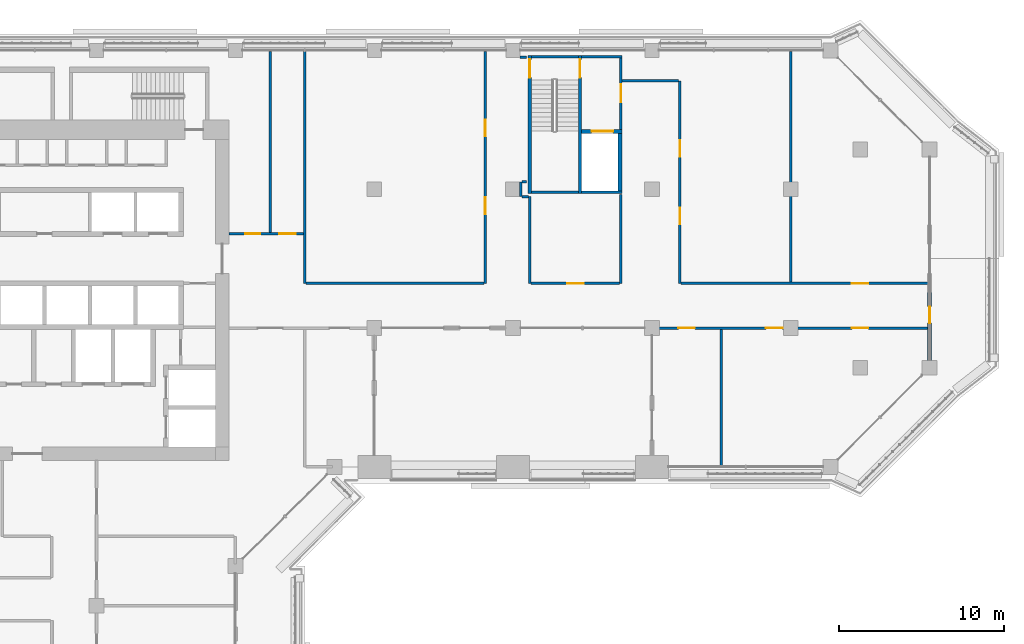
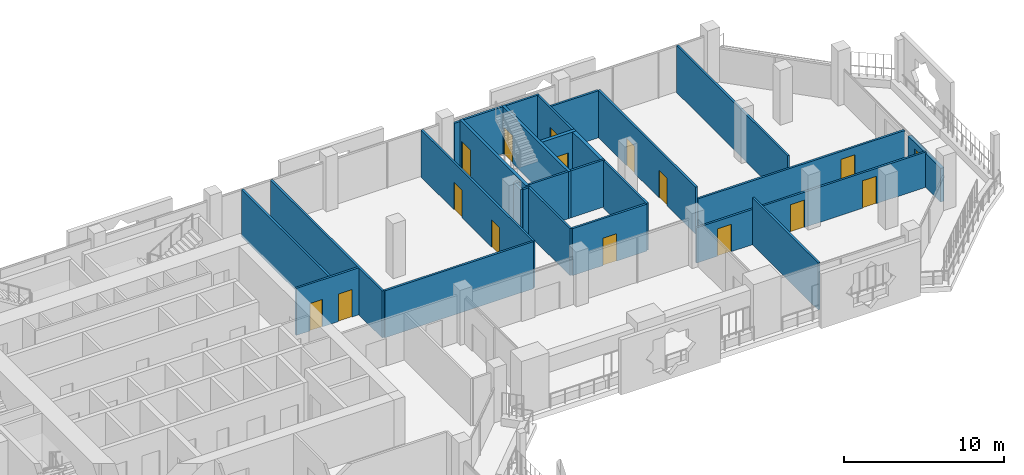
# One storey, part 15 of 24: 28 walls, 16 doors, 16 openings.
"""IFC4 building model written with IfcOpenShell, lengths in metres."""

from ifc_helpers import new_model, si_unit, direction, frame, frame_2d, origin, place, context, subcontext, project, spatial, rectangle, extrude, material, layer, layer_set, type_object, element, fill, save


model = new_model("IFC4")

# Units and contexts
model_context = context("Model", 3, precision=1e-05, world=origin(), true_north=direction((0.0, 1.0)))
body_context = subcontext(model_context, "Body", "Model", "MODEL_VIEW")
ifc_project = project(units=[si_unit("LENGTHUNIT", "METRE"), si_unit("AREAUNIT", "SQUARE_METRE"), si_unit("VOLUMEUNIT", "CUBIC_METRE"), si_unit("PLANEANGLEUNIT", "RADIAN"), si_unit("MASSUNIT", "GRAM", prefix="KILO")], contexts=[model_context])

# Site, building, storey
site_placement = place(None, origin())
site = spatial("IfcSite", under=ifc_project, at=site_placement, CompositionType="ELEMENT")
building_placement = place(site_placement, origin())
building = spatial("IfcBuilding", under=site, at=building_placement, Name="Kawkab Arch Medical Tower", CompositionType="ELEMENT")
storey_placement = place(building_placement, frame((0.0, 0.0, 218.0)))
storey = spatial("IfcBuildingStorey", under=building, at=storey_placement, Name="L50", CompositionType="ELEMENT", Elevation=218.0)

# Wall, opening, door
ifc_material_1 = material(Name="Gypsum board on steel studs", Category="steel")
ifc_layer_1 = layer(ifc_material_1, 0.14990234375)
ifc_layer_set_1 = layer_set([ifc_layer_1], Name="Gypsum board on steel studs")
wall_type_1 = type_object("IfcWallType", Name="Core room partition 150", PredefinedType="PARTITIONING", material=ifc_layer_set_1)
wall_1_placement = place(storey_placement, frame((48.52490234375, -4.77490234375, 0.0), z_axis=(0.0, 0.0, 1.0), x_axis=(0.0, 1.0, 0.0)))
wall_1 = element("IfcWall", 1, at=wall_1_placement, inside=storey, type_object=wall_type_1, Name="L50 core room partition", PredefinedType="PARTITIONING", context=body_context, shape_type="SweptSolid", body=[
    extrude(rectangle(XDim=4.324951171875, YDim=0.14990234375, at=frame_2d((2.16259765625, 0.0))), origin(), (0.0, 0.0, 1.0), 3.60009765625),
])
opening_1_placement = place(wall_1_placement, frame((1.625, 0.0, 0.0)))
opening_1 = element("IfcOpeningElement", 2, at=opening_1_placement, cuts=wall_1, Name="Opening FD", PredefinedType="OPENING", context=body_context, shape_type="SweptSolid", body=[
    extrude(rectangle(XDim=1.10009765625, YDim=2.10009765625, at=frame_2d((0.550048828125, 1.050048828125))), frame((0.0, 0.0849609375, 0.0), z_axis=(0.0, -1.0, 0.0), x_axis=(1.0, 0.0, 0.0)), (0.0, 0.0, 1.0), 0.169921875),
])
ifc_material_2 = material(Name="Hollow metal fire door leaf")
door_type_1 = type_object("IfcDoorType", Name="Firefighting lobby door 1100", OperationType="SINGLE_SWING_LEFT", PredefinedType="DOOR", material=ifc_material_2)
door_1_placement = place(opening_1_placement, origin())
door_1 = element("IfcDoor", 3, at=door_1_placement, inside=storey, type_object=door_type_1, Name="L50 Service lift lobby door SV1", OperationType="SINGLE_SWING_LEFT", OverallHeight=2.10009765625, OverallWidth=1.10009765625, PredefinedType="DOOR", context=body_context, shape_type="SweptSolid", body=[
    extrude(rectangle(XDim=1.10009765625, YDim=2.10009765625, at=frame_2d((0.550048828125, 1.050048828125))), frame((0.0, 0.02490234375, 0.0), z_axis=(0.0, -1.0, 0.0), x_axis=(1.0, 0.0, 0.0)), (0.0, 0.0, 1.0), 0.050048828125),
])
fill(opening_1, door_1)

ifc_material_3 = material(Name="Concrete C60/75", Category="concrete")
ifc_layer_2 = layer(ifc_material_3, 0.25)
ifc_layer_set_2 = layer_set([ifc_layer_2], Name="Concrete C60/75")
wall_type_2 = type_object("IfcWallType", Name="Core shear wall 250 C60/75", PredefinedType="SHEAR", material=ifc_layer_set_2)
wall_2_placement = place(storey_placement, frame((46.14990234375, -4.89990234375, 0.0), z_axis=(0.0, 0.0, 1.0), x_axis=(1.0, 0.0, 0.0)))
wall_2 = element("IfcWall", 4, at=wall_2_placement, inside=storey, type_object=wall_type_2, Name="L50 core shear wall", PredefinedType="SHEAR", context=body_context, shape_type="SweptSolid", body=[
    extrude(rectangle(XDim=2.4501953125, YDim=0.25, at=frame_2d((1.22509765625, 0.0))), origin(), (0.0, 0.0, 1.0), 3.60009765625),
])
opening_2_placement = place(wall_2_placement, frame((0.60009765625, 0.0, 0.0)))
opening_2 = element("IfcOpeningElement", 5, at=opening_2_placement, cuts=wall_2, Name="Opening LD2", PredefinedType="OPENING", context=body_context, shape_type="SweptSolid", body=[
    extrude(rectangle(XDim=1.300048828125, YDim=2.10009765625, at=frame_2d((0.64990234375, 1.050048828125))), frame((0.0, 0.135009765625, 0.0), z_axis=(0.0, -1.0, 0.0), x_axis=(1.0, 0.0, 0.0)), (0.0, 0.0, 1.0), 0.27001953125),
])
ifc_material_4 = material(Name="Stainless steel lift door leaf", Category="steel")
door_type_2 = type_object("IfcDoorType", Name="Lift landing door 1300", OperationType="DOUBLE_DOOR_SLIDING", PredefinedType="DOOR", material=ifc_material_4)
door_2_placement = place(opening_2_placement, origin())
door_2 = element("IfcDoor", 6, at=door_2_placement, inside=storey, type_object=door_type_2, Name="L50 Lift landing door SV1", OperationType="DOUBLE_DOOR_SLIDING", OverallHeight=2.10009765625, OverallWidth=1.300048828125, PredefinedType="DOOR", context=body_context, shape_type="SweptSolid", body=[
    extrude(rectangle(XDim=1.300048828125, YDim=2.10009765625, at=frame_2d((0.64990234375, 1.050048828125))), frame((0.0, 0.02490234375, 0.0), z_axis=(0.0, -1.0, 0.0), x_axis=(1.0, 0.0, 0.0)), (0.0, 0.0, 1.0), 0.050048828125),
])
fill(opening_2, door_2)

# Wall
wall_3_placement = place(storey_placement, frame((48.47509765625, -8.5, 0.0), z_axis=(0.0, 0.0, 1.0), x_axis=(0.0, 1.0, 0.0)))
element("IfcWall", 7, at=wall_3_placement, inside=storey, type_object=wall_type_2, Name="L50 core shear wall", PredefinedType="SHEAR", context=body_context, shape_type="SweptSolid", body=[
    extrude(rectangle(XDim=3.47509765625, YDim=0.25, at=frame_2d((1.737548828125, 0.0))), origin(), (0.0, 0.0, 1.0), 3.60009765625),
])

# Wall, opening, door
ifc_material_5 = material(Name="Bronze clad insulated wall panel")
ifc_layer_3 = layer(ifc_material_5, 0.25)
ifc_layer_set_3 = layer_set([ifc_layer_3], Name="Bronze clad insulated wall panel")
wall_type_3 = type_object("IfcWallType", Name="External wall bay 250", PredefinedType="SOLIDWALL", material=ifc_layer_set_3)
wall_4_placement = place(storey_placement, frame((67.199951171875, -18.75, 0.0), z_axis=(0.0, 0.0, 1.0), x_axis=(0.0, 1.0, 0.0)))
wall_4 = element("IfcWall", 8, at=wall_4_placement, inside=storey, type_object=wall_type_3, Name="External wall bay L50.R07.1.1", PredefinedType="SOLIDWALL", context=body_context, shape_type="SweptSolid", body=[
    extrude(rectangle(XDim=4.10009765625, YDim=0.25, at=frame_2d((2.050048828125, 0.0))), origin(), (0.0, 0.0, 1.0), 2.580078125),
])
opening_3_placement = place(wall_4_placement, frame((2.25, 0.0, 0.0)))
opening_3 = element("IfcOpeningElement", 9, at=opening_3_placement, cuts=wall_4, Name="Opening B50-702", PredefinedType="OPENING", context=body_context, shape_type="SweptSolid", body=[
    extrude(rectangle(XDim=1.0, YDim=2.10009765625, at=frame_2d((0.5, 1.050048828125))), frame((0.0, 0.135009765625, 0.0), z_axis=(0.0, -1.0, 0.0), x_axis=(1.0, 0.0, 0.0)), (0.0, 0.0, 1.0), 0.27001953125),
])
ifc_material_6 = material(Name="Bronze anodised aluminium door with tinted glass", Category="aluminium")
door_type_3 = type_object("IfcDoorType", Name="Single external door 1000 x 2100", OperationType="SINGLE_SWING_LEFT", PredefinedType="DOOR", material=ifc_material_6)
door_3_placement = place(opening_3_placement, origin())
door_3 = element("IfcDoor", 10, at=door_3_placement, inside=storey, type_object=door_type_3, Name="External door L50.R07.1.1", OperationType="SINGLE_SWING_LEFT", OverallHeight=2.10009765625, OverallWidth=1.0, PredefinedType="DOOR", context=body_context, shape_type="SweptSolid", body=[
    extrude(rectangle(XDim=1.0, YDim=2.10009765625, at=frame_2d((0.5, 1.050048828125))), frame((0.0, 0.02490234375, 0.0), z_axis=(0.0, -1.0, 0.0), x_axis=(1.0, 0.0, 0.0)), (0.0, 0.0, 1.0), 0.050048828125),
])
fill(opening_3, door_3)

# Wall, openings, doors
ifc_material_7 = material(Name="Gypsum board partition on steel studs, mineral wool", Category="steel")
ifc_layer_4 = layer(ifc_material_7, 0.14990234375)
ifc_layer_set_4 = layer_set([ifc_layer_4], Name="Gypsum board partition on steel studs, mineral wool")
wall_type_4 = type_object("IfcWallType", Name="Partition 150", PredefinedType="PARTITIONING", material=ifc_layer_set_4)
wall_5_placement = place(storey_placement, frame((50.47998046875, -16.800048828125, 0.0), z_axis=(0.0, 0.0, 1.0), x_axis=(1.0, 0.0, 0.0)))
wall_5 = element("IfcWall", 11, at=wall_5_placement, inside=storey, type_object=wall_type_4, Name="Partition 150 w011", PredefinedType="PARTITIONING", context=body_context, shape_type="SweptSolid", body=[
    extrude(rectangle(XDim=16.64013671875, YDim=0.14990234375, at=frame_2d((8.320068359375, 0.0))), origin(), (0.0, 0.0, 1.0), 2.699951171875),
])
opening_4_placement = place(wall_5_placement, frame((1.52001953125, 0.0, 0.0)))
opening_4 = element("IfcOpeningElement", 12, at=opening_4_placement, cuts=wall_5, Name="Opening B50-008", PredefinedType="OPENING", context=body_context, shape_type="SweptSolid", body=[
    extrude(rectangle(XDim=1.0, YDim=2.10009765625, at=frame_2d((0.5, 1.050048828125))), frame((0.0, 0.0849609375, 0.0), z_axis=(0.0, -1.0, 0.0), x_axis=(1.0, 0.0, 0.0)), (0.0, 0.0, 1.0), 0.169921875),
])
opening_5_placement = place(wall_5_placement, frame((12.02001953125, 0.0, 0.0)))
opening_5 = element("IfcOpeningElement", 13, at=opening_5_placement, cuts=wall_5, Name="Opening B50-009", PredefinedType="OPENING", context=body_context, shape_type="SweptSolid", body=[
    extrude(rectangle(XDim=1.0, YDim=2.10009765625, at=frame_2d((0.5, 1.050048828125))), frame((0.0, 0.0849609375, 0.0), z_axis=(0.0, -1.0, 0.0), x_axis=(1.0, 0.0, 0.0)), (0.0, 0.0, 1.0), 0.169921875),
])
opening_6_placement = place(wall_5_placement, frame((6.820068359375, 0.0, 0.0)))
opening_6 = element("IfcOpeningElement", 14, at=opening_6_placement, cuts=wall_5, Name="Opening B50-010", PredefinedType="OPENING", context=body_context, shape_type="SweptSolid", body=[
    extrude(rectangle(XDim=1.0, YDim=2.10009765625, at=frame_2d((0.5, 1.050048828125))), frame((0.0, 0.0849609375, 0.0), z_axis=(0.0, -1.0, 0.0), x_axis=(1.0, 0.0, 0.0)), (0.0, 0.0, 1.0), 0.169921875),
])
ifc_material_8 = material(Name="Hollow metal door leaf")
door_type_4 = type_object("IfcDoorType", Name="Single door 1000x2100 FD30S", OperationType="NOTDEFINED", PredefinedType="DOOR", material=ifc_material_8)
door_4_placement = place(opening_4_placement, origin())
door_4 = element("IfcDoor", 15, at=door_4_placement, inside=storey, type_object=door_type_4, Name="Door B50-008", OperationType="SINGLE_SWING_RIGHT", OverallHeight=2.10009765625, OverallWidth=1.0, PredefinedType="DOOR", context=body_context, shape_type="SweptSolid", body=[
    extrude(rectangle(XDim=1.0, YDim=2.10009765625, at=frame_2d((0.5, 1.050048828125))), frame((0.0, 0.02490234375, 0.0), z_axis=(0.0, -1.0, 0.0), x_axis=(1.0, 0.0, 0.0)), (0.0, 0.0, 1.0), 0.050048828125),
])
fill(opening_4, door_4)
door_5_placement = place(opening_5_placement, origin())
door_5 = element("IfcDoor", 16, at=door_5_placement, inside=storey, type_object=door_type_4, Name="Door B50-009", OperationType="SINGLE_SWING_LEFT", OverallHeight=2.10009765625, OverallWidth=1.0, PredefinedType="DOOR", context=body_context, shape_type="SweptSolid", body=[
    extrude(rectangle(XDim=1.0, YDim=2.10009765625, at=frame_2d((0.5, 1.050048828125))), frame((0.0, 0.02490234375, 0.0), z_axis=(0.0, -1.0, 0.0), x_axis=(1.0, 0.0, 0.0)), (0.0, 0.0, 1.0), 0.050048828125),
])
fill(opening_5, door_5)
door_6_placement = place(opening_6_placement, origin())
door_6 = element("IfcDoor", 17, at=door_6_placement, inside=storey, type_object=door_type_4, Name="Door B50-010", OperationType="SINGLE_SWING_RIGHT", OverallHeight=2.10009765625, OverallWidth=1.0, PredefinedType="DOOR", context=body_context, shape_type="SweptSolid", body=[
    extrude(rectangle(XDim=1.0, YDim=2.10009765625, at=frame_2d((0.5, 1.050048828125))), frame((0.0, 0.02490234375, 0.0), z_axis=(0.0, -1.0, 0.0), x_axis=(1.0, 0.0, 0.0)), (0.0, 0.0, 1.0), 0.050048828125),
])
fill(opening_6, door_6)

# Wall
wall_6_placement = place(storey_placement, frame((29.47509765625, -14.10009765625, 0.0), z_axis=(0.0, 0.0, 1.0), x_axis=(1.0, 0.0, 0.0)))
element("IfcWall", 18, at=wall_6_placement, inside=storey, type_object=wall_type_4, Name="Partition 150 w012", PredefinedType="PARTITIONING", context=body_context, shape_type="SweptSolid", body=[
    extrude(rectangle(XDim=10.7568359375, YDim=0.14990234375, at=frame_2d((5.37841796875, 0.0))), origin(), (0.0, 0.0, 1.0), 3.60009765625),
])

# Wall, opening, door
wall_7_placement = place(storey_placement, frame((43.074951171875, -14.10009765625, 0.0), z_axis=(0.0, 0.0, 1.0), x_axis=(1.0, 0.0, 0.0)))
wall_7 = element("IfcWall", 19, at=wall_7_placement, inside=storey, type_object=wall_type_4, Name="Partition 150 w013", PredefinedType="PARTITIONING", context=body_context, shape_type="SweptSolid", body=[
    extrude(rectangle(XDim=5.375, YDim=0.14990234375, at=frame_2d((2.6875, 0.0))), origin(), (0.0, 0.0, 1.0), 3.60009765625),
])
opening_7_placement = place(wall_7_placement, frame((2.18798828125, 0.0, 0.0)))
opening_7 = element("IfcOpeningElement", 20, at=opening_7_placement, cuts=wall_7, Name="Opening B50-020", PredefinedType="OPENING", context=body_context, shape_type="SweptSolid", body=[
    extrude(rectangle(XDim=1.0, YDim=2.10009765625, at=frame_2d((0.5, 1.050048828125))), frame((0.0, 0.0849609375, 0.0), z_axis=(0.0, -1.0, 0.0), x_axis=(1.0, 0.0, 0.0)), (0.0, 0.0, 1.0), 0.169921875),
])
door_7_placement = place(opening_7_placement, origin())
door_7 = element("IfcDoor", 21, at=door_7_placement, inside=storey, type_object=door_type_4, Name="Door B50-020", OperationType="SINGLE_SWING_RIGHT", OverallHeight=2.10009765625, OverallWidth=1.0, PredefinedType="DOOR", context=body_context, shape_type="SweptSolid", body=[
    extrude(rectangle(XDim=1.0, YDim=2.10009765625, at=frame_2d((0.5, 1.050048828125))), frame((0.0, 0.02490234375, 0.0), z_axis=(0.0, -1.0, 0.0), x_axis=(1.0, 0.0, 0.0)), (0.0, 0.0, 1.0), 0.050048828125),
])
fill(opening_7, door_7)

wall_8_placement = place(storey_placement, frame((52.16796875, -14.10009765625, 0.0), z_axis=(0.0, 0.0, 1.0), x_axis=(1.0, 0.0, 0.0)))
wall_8 = element("IfcWall", 22, at=wall_8_placement, inside=storey, type_object=wall_type_4, Name="Partition 150 w014", PredefinedType="PARTITIONING", context=body_context, shape_type="SweptSolid", body=[
    extrude(rectangle(XDim=14.9521484375, YDim=0.14990234375, at=frame_2d((7.47607421875, 0.0))), origin(), (0.0, 0.0, 1.0), 2.699951171875),
])
opening_8_placement = place(wall_8_placement, frame((10.33203125, 0.0, 0.0)))
opening_8 = element("IfcOpeningElement", 23, at=opening_8_placement, cuts=wall_8, Name="Opening B50-007", PredefinedType="OPENING", context=body_context, shape_type="SweptSolid", body=[
    extrude(rectangle(XDim=1.0, YDim=2.10009765625, at=frame_2d((0.5, 1.050048828125))), frame((0.0, 0.0849609375, 0.0), z_axis=(0.0, -1.0, 0.0), x_axis=(1.0, 0.0, 0.0)), (0.0, 0.0, 1.0), 0.169921875),
])
door_8_placement = place(opening_8_placement, origin())
door_8 = element("IfcDoor", 24, at=door_8_placement, inside=storey, type_object=door_type_4, Name="Door B50-007", OperationType="SINGLE_SWING_RIGHT", OverallHeight=2.10009765625, OverallWidth=1.0, PredefinedType="DOOR", context=body_context, shape_type="SweptSolid", body=[
    extrude(rectangle(XDim=1.0, YDim=2.10009765625, at=frame_2d((0.5, 1.050048828125))), frame((0.0, 0.02490234375, 0.0), z_axis=(0.0, -1.0, 0.0), x_axis=(1.0, 0.0, 0.0)), (0.0, 0.0, 1.0), 0.050048828125),
])
fill(opening_8, door_8)

# Wall, openings, doors
wall_9_placement = place(storey_placement, frame((24.800048828125, -11.10009765625, 0.0), z_axis=(0.0, 0.0, 1.0), x_axis=(1.0, 0.0, 0.0)))
wall_9 = element("IfcWall", 25, at=wall_9_placement, inside=storey, type_object=wall_type_4, Name="Partition 150 w015", PredefinedType="PARTITIONING", context=body_context, shape_type="SweptSolid", body=[
    extrude(rectangle(XDim=4.52490234375, YDim=0.14990234375, at=frame_2d((2.262451171875, 0.0))), origin(), (0.0, 0.0, 1.0), 3.60009765625),
])
opening_9_placement = place(wall_9_placement, frame((1.0, 0.0, 0.0)))
opening_9 = element("IfcOpeningElement", 26, at=opening_9_placement, cuts=wall_9, Name="Opening B50-003", PredefinedType="OPENING", context=body_context, shape_type="SweptSolid", body=[
    extrude(rectangle(XDim=0.89990234375, YDim=2.10009765625, at=frame_2d((0.449951171875, 1.050048828125))), frame((0.0, 0.0849609375, 0.0), z_axis=(0.0, -1.0, 0.0), x_axis=(1.0, 0.0, 0.0)), (0.0, 0.0, 1.0), 0.169921875),
])
opening_10_placement = place(wall_9_placement, frame((3.050048828125, 0.0, 0.0)))
opening_10 = element("IfcOpeningElement", 27, at=opening_10_placement, cuts=wall_9, Name="Opening B50-004", PredefinedType="OPENING", context=body_context, shape_type="SweptSolid", body=[
    extrude(rectangle(XDim=1.0, YDim=2.10009765625, at=frame_2d((0.5, 1.050048828125))), frame((0.0, 0.0849609375, 0.0), z_axis=(0.0, -1.0, 0.0), x_axis=(1.0, 0.0, 0.0)), (0.0, 0.0, 1.0), 0.169921875),
])
ifc_material_9 = material(Name="Timber door leaf", Category="wood")
door_type_5 = type_object("IfcDoorType", Name="Single door 1000x2100", OperationType="NOTDEFINED", PredefinedType="DOOR", material=ifc_material_9)
door_9_placement = place(opening_10_placement, origin())
door_9 = element("IfcDoor", 28, at=door_9_placement, inside=storey, type_object=door_type_5, Name="Door B50-004", OperationType="SINGLE_SWING_RIGHT", OverallHeight=2.10009765625, OverallWidth=1.0, PredefinedType="DOOR", context=body_context, shape_type="SweptSolid", body=[
    extrude(rectangle(XDim=1.0, YDim=2.10009765625, at=frame_2d((0.5, 1.050048828125))), frame((0.0, 0.02490234375, 0.0), z_axis=(0.0, -1.0, 0.0), x_axis=(1.0, 0.0, 0.0)), (0.0, 0.0, 1.0), 0.050048828125),
])
fill(opening_10, door_9)
ifc_material_10 = material(Name="Timber door leaf", Category="wood")
door_type_6 = type_object("IfcDoorType", Name="Single door 900x2100", OperationType="NOTDEFINED", PredefinedType="DOOR", material=ifc_material_10)
door_10_placement = place(opening_9_placement, origin())
door_10 = element("IfcDoor", 29, at=door_10_placement, inside=storey, type_object=door_type_6, Name="Door B50-003", OperationType="SINGLE_SWING_LEFT", OverallHeight=2.10009765625, OverallWidth=0.89990234375, PredefinedType="DOOR", context=body_context, shape_type="SweptSolid", body=[
    extrude(rectangle(XDim=0.89990234375, YDim=2.10009765625, at=frame_2d((0.449951171875, 1.050048828125))), frame((0.0, 0.02490234375, 0.0), z_axis=(0.0, -1.0, 0.0), x_axis=(1.0, 0.0, 0.0)), (0.0, 0.0, 1.0), 0.050048828125),
])
fill(opening_9, door_10)

# Walls
wall_10_placement = place(storey_placement, frame((42.52490234375, -8.85009765625, 0.0), z_axis=(0.0, 0.0, 1.0), x_axis=(1.0, 0.0, 0.0)))
element("IfcWall", 30, at=wall_10_placement, inside=storey, type_object=wall_type_4, Name="Partition 150 w016", PredefinedType="PARTITIONING", context=body_context, shape_type="SweptSolid", body=[
    extrude(rectangle(XDim=0.400146484375, YDim=0.14990234375, at=frame_2d((0.2001953125, 0.0))), origin(), (0.0, 0.0, 1.0), 3.60009765625),
])
wall_11_placement = place(storey_placement, frame((42.52587890625, -7.949951171875, 0.0), z_axis=(0.0, 0.0, 1.0), x_axis=(1.0, 0.0, 0.0)))
element("IfcWall", 31, at=wall_11_placement, inside=storey, type_object=wall_type_4, Name="Partition 150 w017", PredefinedType="PARTITIONING", context=body_context, shape_type="SweptSolid", body=[
    extrude(rectangle(XDim=0.294189453125, YDim=0.14990234375, at=frame_2d((0.14697265625, 0.0))), origin(), (0.0, 0.0, 1.0), 3.60009765625),
])
wall_12_placement = place(storey_placement, frame((48.60009765625, -1.85009765625, 0.0), z_axis=(0.0, 0.0, 1.0), x_axis=(1.0, 0.0, 0.0)))
element("IfcWall", 32, at=wall_12_placement, inside=storey, type_object=wall_type_4, Name="Partition 150 w018", PredefinedType="PARTITIONING", context=body_context, shape_type="SweptSolid", body=[
    extrude(rectangle(XDim=3.4169921875, YDim=0.14990234375, at=frame_2d((1.70849609375, 0.0))), origin(), (0.0, 0.0, 1.0), 3.60009765625),
])
wall_13_placement = place(storey_placement, frame((42.425048828125, -0.425048828125, 0.0), z_axis=(0.0, 0.0, 1.0), x_axis=(1.0, 0.0, 0.0)))
element("IfcWall", 33, at=wall_13_placement, inside=storey, type_object=wall_type_4, Name="Partition 150 w019", PredefinedType="PARTITIONING", context=body_context, shape_type="SweptSolid", body=[
    extrude(rectangle(XDim=0.39501953125, YDim=0.14990234375, at=frame_2d((0.197509765625, 0.0))), origin(), (0.0, 0.0, 1.0), 3.60009765625),
])
wall_14_placement = place(storey_placement, frame((27.300048828125, -11.02490234375, 0.0), z_axis=(0.0, 0.0, 1.0), x_axis=(0.0, 1.0, 0.0)))
element("IfcWall", 34, at=wall_14_placement, inside=storey, type_object=wall_type_4, Name="Partition 150 w030", PredefinedType="PARTITIONING", context=body_context, shape_type="SweptSolid", body=[
    extrude(rectangle(XDim=10.94482421875, YDim=0.14990234375, at=frame_2d((5.472412109375, 0.0))), origin(), (0.0, 0.0, 1.0), 3.60009765625),
])
wall_15_placement = place(storey_placement, frame((29.39990234375, -14.10009765625, 0.0), z_axis=(0.0, 0.0, 1.0), x_axis=(0.0, 1.0, 0.0)))
element("IfcWall", 35, at=wall_15_placement, inside=storey, type_object=wall_type_4, Name="Partition 150 w032", PredefinedType="PARTITIONING", context=body_context, shape_type="SweptSolid", body=[
    extrude(rectangle(XDim=14.02001953125, YDim=0.14990234375, at=frame_2d((7.010009765625, 0.0))), origin(), (0.0, 0.0, 1.0), 3.60009765625),
])

# Wall, openings, doors
wall_16_placement = place(storey_placement, frame((40.306884765625, -14.10009765625, 0.0), z_axis=(0.0, 0.0, 1.0), x_axis=(0.0, 1.0, 0.0)))
wall_16 = element("IfcWall", 36, at=wall_16_placement, inside=storey, type_object=wall_type_4, Name="Partition 150 w033", PredefinedType="PARTITIONING", context=body_context, shape_type="SweptSolid", body=[
    extrude(rectangle(XDim=14.02001953125, YDim=0.14990234375, at=frame_2d((7.010009765625, 0.0))), origin(), (0.0, 0.0, 1.0), 3.60009765625),
])
opening_11_placement = place(wall_16_placement, frame((4.199951171875, 0.0, 0.0)))
opening_11 = element("IfcOpeningElement", 37, at=opening_11_placement, cuts=wall_16, Name="Opening B50-017", PredefinedType="OPENING", context=body_context, shape_type="SweptSolid", body=[
    extrude(rectangle(XDim=1.0, YDim=2.10009765625, at=frame_2d((0.5, 1.050048828125))), frame((0.0, 0.0849609375, 0.0), z_axis=(0.0, -1.0, 0.0), x_axis=(1.0, 0.0, 0.0)), (0.0, 0.0, 1.0), 0.169921875),
])
opening_12_placement = place(wall_16_placement, frame((8.89990234375, 0.0, 0.0)))
opening_12 = element("IfcOpeningElement", 38, at=opening_12_placement, cuts=wall_16, Name="Opening B50-018", PredefinedType="OPENING", context=body_context, shape_type="SweptSolid", body=[
    extrude(rectangle(XDim=1.0, YDim=2.10009765625, at=frame_2d((0.5, 1.050048828125))), frame((0.0, 0.0849609375, 0.0), z_axis=(0.0, -1.0, 0.0), x_axis=(1.0, 0.0, 0.0)), (0.0, 0.0, 1.0), 0.169921875),
])
door_11_placement = place(opening_11_placement, origin())
door_11 = element("IfcDoor", 39, at=door_11_placement, inside=storey, type_object=door_type_4, Name="Door B50-017", OperationType="SINGLE_SWING_LEFT", OverallHeight=2.10009765625, OverallWidth=1.0, PredefinedType="DOOR", context=body_context, shape_type="SweptSolid", body=[
    extrude(rectangle(XDim=1.0, YDim=2.10009765625, at=frame_2d((0.5, 1.050048828125))), frame((0.0, 0.02490234375, 0.0), z_axis=(0.0, -1.0, 0.0), x_axis=(1.0, 0.0, 0.0)), (0.0, 0.0, 1.0), 0.050048828125),
])
fill(opening_11, door_11)
door_12_placement = place(opening_12_placement, origin())
door_12 = element("IfcDoor", 40, at=door_12_placement, inside=storey, type_object=door_type_4, Name="Door B50-018", OperationType="SINGLE_SWING_RIGHT", OverallHeight=2.10009765625, OverallWidth=1.0, PredefinedType="DOOR", context=body_context, shape_type="SweptSolid", body=[
    extrude(rectangle(XDim=1.0, YDim=2.10009765625, at=frame_2d((0.5, 1.050048828125))), frame((0.0, 0.02490234375, 0.0), z_axis=(0.0, -1.0, 0.0), x_axis=(1.0, 0.0, 0.0)), (0.0, 0.0, 1.0), 0.050048828125),
])
fill(opening_12, door_12)

# Walls
wall_17_placement = place(storey_placement, frame((42.449951171875, -8.85009765625, 0.0), z_axis=(0.0, 0.0, 1.0), x_axis=(0.0, 1.0, 0.0)))
element("IfcWall", 41, at=wall_17_placement, inside=storey, type_object=wall_type_4, Name="Partition 150 w034", PredefinedType="PARTITIONING", context=body_context, shape_type="SweptSolid", body=[
    extrude(rectangle(XDim=0.899169921875, YDim=0.14990234375, at=frame_2d((0.44970703125, 0.0))), origin(), (0.0, 0.0, 1.0), 3.60009765625),
])
wall_18_placement = place(storey_placement, frame((43.0, -14.10009765625, 0.0), z_axis=(0.0, 0.0, 1.0), x_axis=(0.0, 1.0, 0.0)))
element("IfcWall", 42, at=wall_18_placement, inside=storey, type_object=wall_type_4, Name="Partition 150 w035", PredefinedType="PARTITIONING", context=body_context, shape_type="SweptSolid", body=[
    extrude(rectangle(XDim=5.25, YDim=0.14990234375, at=frame_2d((2.625, 0.0))), origin(), (0.0, 0.0, 1.0), 3.60009765625),
])
wall_19_placement = place(storey_placement, frame((48.52490234375, -14.10009765625, 0.0), z_axis=(0.0, 0.0, 1.0), x_axis=(0.0, 1.0, 0.0)))
element("IfcWall", 43, at=wall_19_placement, inside=storey, type_object=wall_type_4, Name="Partition 150 w036", PredefinedType="PARTITIONING", context=body_context, shape_type="SweptSolid", body=[
    extrude(rectangle(XDim=5.3701171875, YDim=0.14990234375, at=frame_2d((2.68505859375, 0.0))), origin(), (0.0, 0.0, 1.0), 3.60009765625),
])

# Wall, openings, doors
wall_20_placement = place(storey_placement, frame((52.093017578125, -14.10009765625, 0.0), z_axis=(0.0, 0.0, 1.0), x_axis=(0.0, 1.0, 0.0)))
wall_20 = element("IfcWall", 44, at=wall_20_placement, inside=storey, type_object=wall_type_4, Name="Partition 150 w037", PredefinedType="PARTITIONING", context=body_context, shape_type="SweptSolid", body=[
    extrude(rectangle(XDim=12.248046875, YDim=0.14990234375, at=frame_2d((6.1240234375, 0.0))), origin(), (0.0, 0.0, 1.0), 3.60009765625),
])
opening_13_placement = place(wall_20_placement, frame((7.6650390625, 0.0, 0.0)))
opening_13 = element("IfcOpeningElement", 45, at=opening_13_placement, cuts=wall_20, Name="Opening B50-005", PredefinedType="OPENING", context=body_context, shape_type="SweptSolid", body=[
    extrude(rectangle(XDim=1.0, YDim=2.10009765625, at=frame_2d((0.5, 1.050048828125))), frame((0.0, 0.0849609375, 0.0), z_axis=(0.0, -1.0, 0.0), x_axis=(1.0, 0.0, 0.0)), (0.0, 0.0, 1.0), 0.169921875),
])
opening_14_placement = place(wall_20_placement, frame((3.5830078125, 0.0, 0.0)))
opening_14 = element("IfcOpeningElement", 46, at=opening_14_placement, cuts=wall_20, Name="Opening B50-006", PredefinedType="OPENING", context=body_context, shape_type="SweptSolid", body=[
    extrude(rectangle(XDim=1.0, YDim=2.10009765625, at=frame_2d((0.5, 1.050048828125))), frame((0.0, 0.0849609375, 0.0), z_axis=(0.0, -1.0, 0.0), x_axis=(1.0, 0.0, 0.0)), (0.0, 0.0, 1.0), 0.169921875),
])
door_13_placement = place(opening_13_placement, origin())
door_13 = element("IfcDoor", 47, at=door_13_placement, inside=storey, type_object=door_type_4, Name="Door B50-005", OperationType="SINGLE_SWING_LEFT", OverallHeight=2.10009765625, OverallWidth=1.0, PredefinedType="DOOR", context=body_context, shape_type="SweptSolid", body=[
    extrude(rectangle(XDim=1.0, YDim=2.10009765625, at=frame_2d((0.5, 1.050048828125))), frame((0.0, 0.02490234375, 0.0), z_axis=(0.0, -1.0, 0.0), x_axis=(1.0, 0.0, 0.0)), (0.0, 0.0, 1.0), 0.050048828125),
])
fill(opening_13, door_13)
door_14_placement = place(opening_14_placement, origin())
door_14 = element("IfcDoor", 48, at=door_14_placement, inside=storey, type_object=door_type_4, Name="Door B50-006", OperationType="SINGLE_SWING_RIGHT", OverallHeight=2.10009765625, OverallWidth=1.0, PredefinedType="DOOR", context=body_context, shape_type="SweptSolid", body=[
    extrude(rectangle(XDim=1.0, YDim=2.10009765625, at=frame_2d((0.5, 1.050048828125))), frame((0.0, 0.02490234375, 0.0), z_axis=(0.0, -1.0, 0.0), x_axis=(1.0, 0.0, 0.0)), (0.0, 0.0, 1.0), 0.050048828125),
])
fill(opening_14, door_14)

# Walls
wall_21_placement = place(storey_placement, frame((54.60009765625, -25.1201171875, 0.0), z_axis=(0.0, 0.0, 1.0), x_axis=(0.0, 1.0, 0.0)))
element("IfcWall", 49, at=wall_21_placement, inside=storey, type_object=wall_type_4, Name="Partition 150 w038", PredefinedType="PARTITIONING", context=body_context, shape_type="SweptSolid", body=[
    extrude(rectangle(XDim=8.2451171875, YDim=0.14990234375, at=frame_2d((4.12255859375, 0.0))), origin(), (0.0, 0.0, 1.0), 3.60009765625),
])
wall_22_placement = place(storey_placement, frame((58.800048828125, -14.02490234375, 0.0), z_axis=(0.0, 0.0, 1.0), x_axis=(0.0, 1.0, 0.0)))
element("IfcWall", 50, at=wall_22_placement, inside=storey, type_object=wall_type_4, Name="Partition 150 w039", PredefinedType="PARTITIONING", context=body_context, shape_type="SweptSolid", body=[
    extrude(rectangle(XDim=13.94482421875, YDim=0.14990234375, at=frame_2d((6.972412109375, 0.0))), origin(), (0.0, 0.0, 1.0), 3.60009765625),
])
ifc_material_11 = material(Name="Concrete C50/60", Category="concrete")
ifc_layer_5 = layer(ifc_material_11, 0.14990234375)
ifc_layer_set_5 = layer_set([ifc_layer_5], Name="Concrete C50/60")
wall_type_5 = type_object("IfcWallType", Name="Stair enclosure wall 150 C50/60", PredefinedType="SHEAR", material=ifc_layer_set_5)
wall_23_placement = place(storey_placement, frame((43.10009765625, -0.375, 0.0), z_axis=(0.0, 0.0, 1.0), x_axis=(1.0, 0.0, 0.0)))
element("IfcWall", 51, at=wall_23_placement, inside=storey, type_object=wall_type_5, Name="L50 stair enclosure wall", PredefinedType="SHEAR", context=body_context, shape_type="SweptSolid", body=[
    extrude(rectangle(XDim=2.849853515625, YDim=0.14990234375, at=frame_2d((1.4248046875, 0.0))), origin(), (0.0, 0.0, 1.0), 3.60009765625),
])
wall_24_placement = place(storey_placement, frame((46.14990234375, -0.375, 0.0), z_axis=(0.0, 0.0, 1.0), x_axis=(1.0, 0.0, 0.0)))
element("IfcWall", 52, at=wall_24_placement, inside=storey, type_object=wall_type_5, Name="L50 stair enclosure wall", PredefinedType="SHEAR", context=body_context, shape_type="SweptSolid", body=[
    extrude(rectangle(XDim=2.4501953125, YDim=0.14990234375, at=frame_2d((1.22509765625, 0.0))), origin(), (0.0, 0.0, 1.0), 3.60009765625),
])
wall_25_placement = place(storey_placement, frame((43.10009765625, -8.574951171875, 0.0), z_axis=(0.0, 0.0, 1.0), x_axis=(1.0, 0.0, 0.0)))
element("IfcWall", 53, at=wall_25_placement, inside=storey, type_object=wall_type_5, Name="L50 stair enclosure wall", PredefinedType="SHEAR", context=body_context, shape_type="SweptSolid", body=[
    extrude(rectangle(XDim=2.849853515625, YDim=0.14990234375, at=frame_2d((1.4248046875, 0.0))), origin(), (0.0, 0.0, 1.0), 3.60009765625),
])
wall_26_placement = place(storey_placement, frame((46.14990234375, -8.574951171875, 0.0), z_axis=(0.0, 0.0, 1.0), x_axis=(1.0, 0.0, 0.0)))
element("IfcWall", 54, at=wall_26_placement, inside=storey, type_object=wall_type_5, Name="L50 stair enclosure wall", PredefinedType="SHEAR", context=body_context, shape_type="SweptSolid", body=[
    extrude(rectangle(XDim=2.4501953125, YDim=0.14990234375, at=frame_2d((1.22509765625, 0.0))), origin(), (0.0, 0.0, 1.0), 3.60009765625),
])

# Wall, opening, door
ifc_material_12 = material(Name="Concrete C50/60", Category="concrete")
ifc_layer_6 = layer(ifc_material_12, 0.199951171875)
ifc_layer_set_6 = layer_set([ifc_layer_6], Name="Concrete C50/60")
wall_type_6 = type_object("IfcWallType", Name="Stair enclosure wall 200 C50/60", PredefinedType="SHEAR", material=ifc_layer_set_6)
wall_27_placement = place(storey_placement, frame((43.0, -8.64990234375, 0.0), z_axis=(0.0, 0.0, 1.0), x_axis=(0.0, 1.0, 0.0)))
wall_27 = element("IfcWall", 55, at=wall_27_placement, inside=storey, type_object=wall_type_6, Name="L50 stair enclosure wall", PredefinedType="SHEAR", context=body_context, shape_type="SweptSolid", body=[
    extrude(rectangle(XDim=8.349853515625, YDim=0.199951171875, at=frame_2d((4.1748046875, 0.0))), origin(), (0.0, 0.0, 1.0), 3.60009765625),
])
opening_15_placement = place(wall_27_placement, frame((7.0, 0.0, 0.0)))
opening_15 = element("IfcOpeningElement", 56, at=opening_15_placement, cuts=wall_27, Name="Opening SD", PredefinedType="OPENING", context=body_context, shape_type="SweptSolid", body=[
    extrude(rectangle(XDim=1.10009765625, YDim=2.10009765625, at=frame_2d((0.550048828125, 1.050048828125))), frame((0.0, 0.10986328125, 0.0), z_axis=(0.0, -1.0, 0.0), x_axis=(1.0, 0.0, 0.0)), (0.0, 0.0, 1.0), 0.219970703125),
])
ifc_material_13 = material(Name="Hollow metal fire door leaf")
door_type_7 = type_object("IfcDoorType", Name="Exit stair door 1100", OperationType="SINGLE_SWING_LEFT", PredefinedType="DOOR", material=ifc_material_13)
door_15_placement = place(opening_15_placement, frame((1.10009765625, 0.0, 0.0), z_axis=(0.0, 0.0, 1.0), x_axis=(-1.0, 0.0, 0.0)))
door_15 = element("IfcDoor", 57, at=door_15_placement, inside=storey, type_object=door_type_7, Name="L50 Exit stair ST5 door", OperationType="SINGLE_SWING_LEFT", OverallHeight=2.10009765625, OverallWidth=1.10009765625, PredefinedType="DOOR", context=body_context, shape_type="SweptSolid", body=[
    extrude(rectangle(XDim=1.10009765625, YDim=2.10009765625, at=frame_2d((0.550048828125, 1.050048828125))), frame((0.0, 0.02490234375, 0.0), z_axis=(0.0, -1.0, 0.0), x_axis=(1.0, 0.0, 0.0)), (0.0, 0.0, 1.0), 0.050048828125),
])
fill(opening_15, door_15)

wall_28_placement = place(storey_placement, frame((46.050048828125, -8.64990234375, 0.0), z_axis=(0.0, 0.0, 1.0), x_axis=(0.0, 1.0, 0.0)))
wall_28 = element("IfcWall", 58, at=wall_28_placement, inside=storey, type_object=wall_type_6, Name="L50 stair enclosure wall", PredefinedType="SHEAR", context=body_context, shape_type="SweptSolid", body=[
    extrude(rectangle(XDim=8.349853515625, YDim=0.199951171875, at=frame_2d((4.1748046875, 0.0))), origin(), (0.0, 0.0, 1.0), 3.60009765625),
])
opening_16_placement = place(wall_28_placement, frame((7.0, 0.0, 0.0)))
opening_16 = element("IfcOpeningElement", 59, at=opening_16_placement, cuts=wall_28, Name="Opening SD", PredefinedType="OPENING", context=body_context, shape_type="SweptSolid", body=[
    extrude(rectangle(XDim=1.10009765625, YDim=2.10009765625, at=frame_2d((0.550048828125, 1.050048828125))), frame((0.0, 0.10986328125, 0.0), z_axis=(0.0, -1.0, 0.0), x_axis=(1.0, 0.0, 0.0)), (0.0, 0.0, 1.0), 0.219970703125),
])
door_16_placement = place(opening_16_placement, origin())
door_16 = element("IfcDoor", 60, at=door_16_placement, inside=storey, type_object=door_type_7, Name="L50 Exit stair ST5 lobby door", OperationType="SINGLE_SWING_LEFT", OverallHeight=2.10009765625, OverallWidth=1.10009765625, PredefinedType="DOOR", context=body_context, shape_type="SweptSolid", body=[
    extrude(rectangle(XDim=1.10009765625, YDim=2.10009765625, at=frame_2d((0.550048828125, 1.050048828125))), frame((0.0, 0.02490234375, 0.0), z_axis=(0.0, -1.0, 0.0), x_axis=(1.0, 0.0, 0.0)), (0.0, 0.0, 1.0), 0.050048828125),
])
fill(opening_16, door_16)

save(model, "model.ifc")
